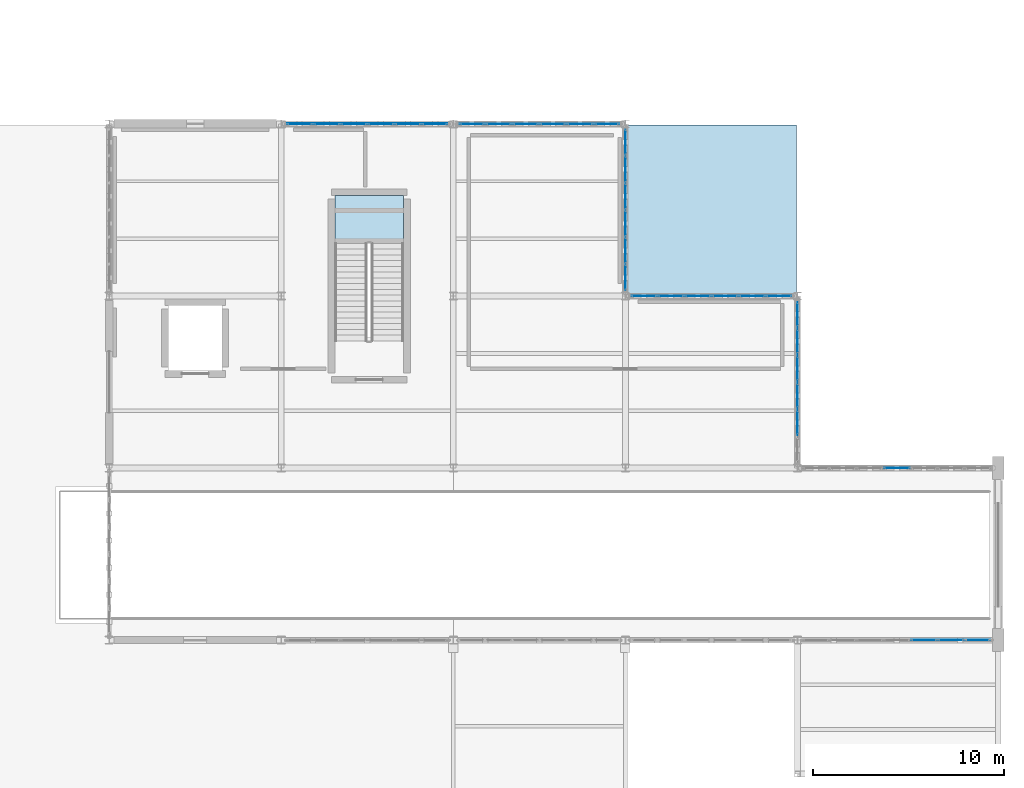
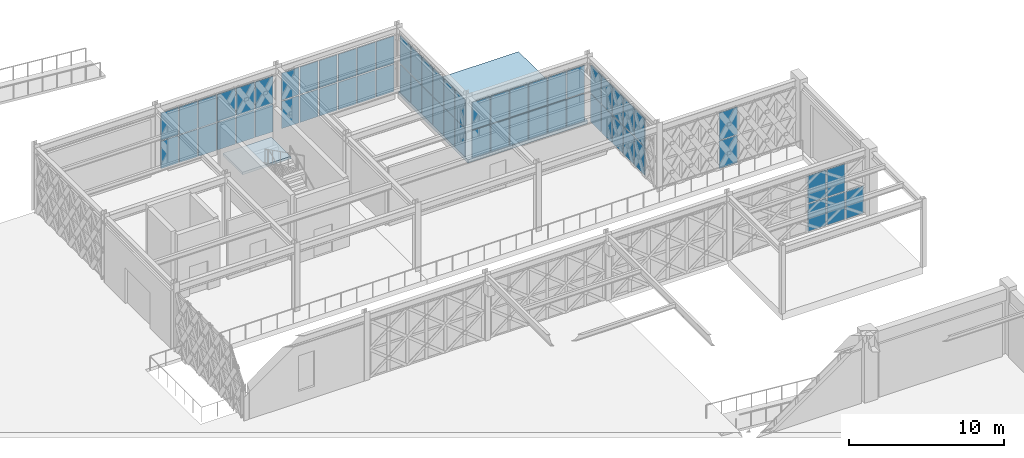
# One storey, part 112 of 140: 65 plates, 2 slabs, 8 elements without a shape of their own.
"""IFC4 building model written with IfcOpenShell, lengths in metres."""

from ifc_helpers import new_model, si_unit, direction, frame, origin, origin_2d, place, context, subcontext, project, spatial, polyline, rectangle, outline, extrude, material, layer, layer_set, type_object, element, aggregate, save


model = new_model("IFC4")

# Units and contexts
model_context = context("Model", 3, precision=1e-05, world=origin(), true_north=direction((0.0, 1.0)))
body_context = subcontext(model_context, "Body", "Model", "MODEL_VIEW")
ifc_project = project(units=[si_unit("LENGTHUNIT", "METRE"), si_unit("AREAUNIT", "SQUARE_METRE"), si_unit("VOLUMEUNIT", "CUBIC_METRE"), si_unit("PLANEANGLEUNIT", "RADIAN"), si_unit("MASSUNIT", "GRAM", prefix="KILO")], contexts=[model_context])

# Site, building, storey
site_placement = place(None, origin())
site = spatial("IfcSite", under=ifc_project, at=site_placement, CompositionType="ELEMENT")
building_placement = place(site_placement, origin())
building = spatial("IfcBuilding", under=site, at=building_placement, Name="Haizhuo Lancet Aquarium", CompositionType="ELEMENT")
storey_placement = place(building_placement, origin())
storey = spatial("IfcBuildingStorey", under=building, at=storey_placement, Name="L00", CompositionType="ELEMENT", Elevation=0.0)

# Curtain wall, plates
ifc_material_1 = material(Name="Aluminium 6063-T6", Category="aluminium")
curtain_wall_type_1 = type_object("IfcCurtainWallType", Name="CWD-8510x4530", PredefinedType="NOTDEFINED", material=ifc_material_1)
curtain_wall_1_placement = place(storey_placement, origin())
curtain_wall_1 = element("IfcCurtainWall", 1, at=curtain_wall_1_placement, inside=storey, type_object=curtain_wall_type_1, Name="L00 curtain wall CW-V7-L00-273", PredefinedType="NOTDEFINED")
ifc_material_2 = material(Name="Laminated Low-E Glass", Category="glass")
ifc_layer_1 = layer(ifc_material_2, 0.028076171875)
ifc_layer_set_1 = layer_set([ifc_layer_1], Name="Laminated Low-E Glass")
plate_type_1 = type_object("IfcPlateType", Name="CW-PNL-1", PredefinedType="CURTAIN_PANEL", material=ifc_layer_set_1)
plate_1_placement = place(storey_placement, frame((54.97412109375, 36.0, 0.080078125), z_axis=(0.0, 0.0, 1.0), x_axis=(1.0, 0.0, 0.0)))
plate_1 = element("IfcPlate", 2, at=plate_1_placement, type_object=plate_type_1, Name="CWD-85x45 panel 1.1", PredefinedType="CURTAIN_PANEL", context=body_context, shape_type="SweptSolid", body=[
    extrude(rectangle(XDim=1.298095703125, YDim=0.028076171875, at=origin_2d()), origin(), (0.0, 0.0, 1.0), 2.14599609375),
])
plate_2_placement = place(storey_placement, frame((54.97412109375, 36.0, 2.305908203125), z_axis=(0.0, 0.0, 1.0), x_axis=(1.0, 0.0, 0.0)))
plate_2 = element("IfcPlate", 3, at=plate_2_placement, type_object=plate_type_1, Name="CWD-85x45 panel 1.2", PredefinedType="CURTAIN_PANEL", context=body_context, shape_type="SweptSolid", body=[
    extrude(rectangle(XDim=1.298095703125, YDim=0.028076171875, at=origin_2d()), origin(), (0.0, 0.0, 1.0), 2.14599609375),
])
plate_3_placement = place(storey_placement, frame((56.373046875, 36.0, 0.080078125), z_axis=(0.0, 0.0, 1.0), x_axis=(1.0, 0.0, 0.0)))
plate_3 = element("IfcPlate", 4, at=plate_3_placement, type_object=plate_type_1, Name="CWD-85x45 panel 2.1", PredefinedType="CURTAIN_PANEL", context=body_context, shape_type="SweptSolid", body=[
    extrude(rectangle(XDim=1.337890625, YDim=0.028076171875, at=origin_2d()), origin(), (0.0, 0.0, 1.0), 2.14599609375),
])
plate_4_placement = place(storey_placement, frame((56.373046875, 36.0, 2.305908203125), z_axis=(0.0, 0.0, 1.0), x_axis=(1.0, 0.0, 0.0)))
plate_4 = element("IfcPlate", 5, at=plate_4_placement, type_object=plate_type_1, Name="CWD-85x45 panel 2.2", PredefinedType="CURTAIN_PANEL", context=body_context, shape_type="SweptSolid", body=[
    extrude(rectangle(XDim=1.337890625, YDim=0.028076171875, at=origin_2d()), origin(), (0.0, 0.0, 1.0), 2.14599609375),
])
plate_5_placement = place(storey_placement, frame((57.791015625, 36.0, 0.080078125), z_axis=(0.0, 0.0, 1.0), x_axis=(1.0, 0.0, 0.0)))
plate_5 = element("IfcPlate", 6, at=plate_5_placement, type_object=plate_type_1, Name="CWD-85x45 panel 3.1", PredefinedType="CURTAIN_PANEL", context=body_context, shape_type="SweptSolid", body=[
    extrude(rectangle(XDim=1.337890625, YDim=0.028076171875, at=origin_2d()), origin(), (0.0, 0.0, 1.0), 2.14599609375),
])
plate_6_placement = place(storey_placement, frame((57.791015625, 36.0, 2.305908203125), z_axis=(0.0, 0.0, 1.0), x_axis=(1.0, 0.0, 0.0)))
plate_6 = element("IfcPlate", 7, at=plate_6_placement, type_object=plate_type_1, Name="CWD-85x45 panel 3.2", PredefinedType="CURTAIN_PANEL", context=body_context, shape_type="SweptSolid", body=[
    extrude(rectangle(XDim=1.337890625, YDim=0.028076171875, at=origin_2d()), origin(), (0.0, 0.0, 1.0), 2.14599609375),
])
plate_7_placement = place(storey_placement, frame((59.208984375, 36.0, 0.080078125), z_axis=(0.0, 0.0, 1.0), x_axis=(1.0, 0.0, 0.0)))
plate_7 = element("IfcPlate", 8, at=plate_7_placement, type_object=plate_type_1, Name="CWD-85x45 panel 4.1", PredefinedType="CURTAIN_PANEL", context=body_context, shape_type="SweptSolid", body=[
    extrude(rectangle(XDim=1.337890625, YDim=0.028076171875, at=origin_2d()), origin(), (0.0, 0.0, 1.0), 2.14599609375),
])
plate_8_placement = place(storey_placement, frame((59.208984375, 36.0, 2.305908203125), z_axis=(0.0, 0.0, 1.0), x_axis=(1.0, 0.0, 0.0)))
plate_8 = element("IfcPlate", 9, at=plate_8_placement, type_object=plate_type_1, Name="CWD-85x45 panel 4.2", PredefinedType="CURTAIN_PANEL", context=body_context, shape_type="SweptSolid", body=[
    extrude(rectangle(XDim=1.337890625, YDim=0.028076171875, at=origin_2d()), origin(), (0.0, 0.0, 1.0), 2.14599609375),
])
plate_9_placement = place(storey_placement, frame((60.626953125, 36.0, 0.080078125), z_axis=(0.0, 0.0, 1.0), x_axis=(1.0, 0.0, 0.0)))
plate_9 = element("IfcPlate", 10, at=plate_9_placement, type_object=plate_type_1, Name="CWD-85x45 panel 5.1", PredefinedType="CURTAIN_PANEL", context=body_context, shape_type="SweptSolid", body=[
    extrude(rectangle(XDim=1.337890625, YDim=0.028076171875, at=origin_2d()), origin(), (0.0, 0.0, 1.0), 2.14599609375),
])
plate_10_placement = place(storey_placement, frame((60.626953125, 36.0, 2.305908203125), z_axis=(0.0, 0.0, 1.0), x_axis=(1.0, 0.0, 0.0)))
plate_10 = element("IfcPlate", 11, at=plate_10_placement, type_object=plate_type_1, Name="CWD-85x45 panel 5.2", PredefinedType="CURTAIN_PANEL", context=body_context, shape_type="SweptSolid", body=[
    extrude(rectangle(XDim=1.337890625, YDim=0.028076171875, at=origin_2d()), origin(), (0.0, 0.0, 1.0), 2.14599609375),
])
plate_11_placement = place(storey_placement, frame((62.02587890625, 36.0, 0.080078125), z_axis=(0.0, 0.0, 1.0), x_axis=(1.0, 0.0, 0.0)))
plate_11 = element("IfcPlate", 12, at=plate_11_placement, type_object=plate_type_1, Name="CWD-85x45 panel 6.1", PredefinedType="CURTAIN_PANEL", context=body_context, shape_type="SweptSolid", body=[
    extrude(rectangle(XDim=1.298095703125, YDim=0.028076171875, at=origin_2d()), origin(), (0.0, 0.0, 1.0), 2.14599609375),
])
plate_12_placement = place(storey_placement, frame((62.02587890625, 36.0, 2.305908203125), z_axis=(0.0, 0.0, 1.0), x_axis=(1.0, 0.0, 0.0)))
plate_12 = element("IfcPlate", 13, at=plate_12_placement, type_object=plate_type_1, Name="CWD-85x45 panel 6.2", PredefinedType="CURTAIN_PANEL", context=body_context, shape_type="SweptSolid", body=[
    extrude(rectangle(XDim=1.298095703125, YDim=0.028076171875, at=origin_2d()), origin(), (0.0, 0.0, 1.0), 2.14599609375),
])
aggregate(curtain_wall_1, [plate_1, plate_2, plate_3, plate_4, plate_5, plate_6, plate_7, plate_8, plate_9, plate_10, plate_11, plate_12])

curtain_wall_type_2 = type_object("IfcCurtainWallType", Name="CWD-9910x4530", PredefinedType="NOTDEFINED", material=ifc_material_1)
curtain_wall_2_placement = place(storey_placement, origin())
curtain_wall_2 = element("IfcCurtainWall", 14, at=curtain_wall_2_placement, inside=storey, type_object=curtain_wall_type_2, Name="L00 curtain wall CW-V7-L00-277", PredefinedType="NOTDEFINED")
plate_13_placement = place(storey_placement, frame((77.199951171875, 18.0, 0.06494140625), z_axis=(0.0, 0.0, 1.0), x_axis=(1.0, 0.0, 0.0)))
plate_13 = element("IfcPlate", 15, at=plate_13_placement, type_object=plate_type_1, Name="CWD-99x45 panel 4.1", PredefinedType="CURTAIN_PANEL", context=body_context, shape_type="SweptSolid", body=[
    extrude(rectangle(XDim=1.35107421875, YDim=0.028076171875, at=origin_2d()), origin(), (0.0, 0.0, 1.0), 2.16796875),
])
plate_14_placement = place(storey_placement, frame((77.199951171875, 18.0, 2.298583984375), z_axis=(0.0, 0.0, 1.0), x_axis=(1.0, 0.0, 0.0)))
plate_14 = element("IfcPlate", 16, at=plate_14_placement, type_object=plate_type_1, Name="CWD-99x45 panel 4.2", PredefinedType="CURTAIN_PANEL", context=body_context, shape_type="SweptSolid", body=[
    extrude(rectangle(XDim=1.35107421875, YDim=0.028076171875, at=origin_2d()), origin(), (0.0, 0.0, 1.0), 2.1689453125),
])
aggregate(curtain_wall_2, [plate_13, plate_14])

curtain_wall_type_3 = type_object("IfcCurtainWallType", Name="CWD-8510x4630", PredefinedType="NOTDEFINED", material=ifc_material_1)
curtain_wall_3_placement = place(storey_placement, origin())
curtain_wall_3 = element("IfcCurtainWall", 17, at=curtain_wall_3_placement, inside=storey, type_object=curtain_wall_type_3, Name="L00 curtain wall CW-V7-L00-274", PredefinedType="NOTDEFINED")
ifc_layer_2 = layer(ifc_material_2, 0.033935546875)
ifc_layer_set_2 = layer_set([ifc_layer_2], Name="Laminated Low-E Glass")
plate_type_2 = type_object("IfcPlateType", Name="CW-PNL-2", PredefinedType="CURTAIN_PANEL", material=ifc_layer_set_2)
plate_15_placement = place(storey_placement, frame((63.0, 35.030029296875, 0.06494140625), z_axis=(0.0, 0.0, 1.0), x_axis=(0.0, -1.0, 0.0)))
plate_15 = element("IfcPlate", 18, at=plate_15_placement, type_object=plate_type_2, Name="CWD-85x46 panel 1.1", PredefinedType="CURTAIN_PANEL", context=body_context, shape_type="SweptSolid", body=[
    extrude(rectangle(XDim=1.321044921875, YDim=0.033935546875, at=origin_2d()), origin(), (0.0, 0.0, 1.0), 2.218017578125),
])
plate_16_placement = place(storey_placement, frame((63.0, 35.030029296875, 2.3486328125), z_axis=(0.0, 0.0, 1.0), x_axis=(0.0, -1.0, 0.0)))
plate_16 = element("IfcPlate", 19, at=plate_16_placement, type_object=plate_type_2, Name="CWD-85x46 panel 1.2", PredefinedType="CURTAIN_PANEL", context=body_context, shape_type="SweptSolid", body=[
    extrude(rectangle(XDim=1.321044921875, YDim=0.033935546875, at=origin_2d()), origin(), (0.0, 0.0, 1.0), 2.218994140625),
])
plate_17_placement = place(storey_placement, frame((63.0, 33.6279296875, 0.06494140625), z_axis=(0.0, 0.0, 1.0), x_axis=(0.0, -1.0, 0.0)))
plate_17 = element("IfcPlate", 20, at=plate_17_placement, type_object=plate_type_2, Name="CWD-85x46 panel 2.1", PredefinedType="CURTAIN_PANEL", context=body_context, shape_type="SweptSolid", body=[
    extrude(rectangle(XDim=1.35302734375, YDim=0.033935546875, at=origin_2d()), origin(), (0.0, 0.0, 1.0), 2.218017578125),
])
plate_18_placement = place(storey_placement, frame((63.0, 33.6279296875, 2.3486328125), z_axis=(0.0, 0.0, 1.0), x_axis=(0.0, -1.0, 0.0)))
plate_18 = element("IfcPlate", 21, at=plate_18_placement, type_object=plate_type_2, Name="CWD-85x46 panel 2.2", PredefinedType="CURTAIN_PANEL", context=body_context, shape_type="SweptSolid", body=[
    extrude(rectangle(XDim=1.35302734375, YDim=0.033935546875, at=origin_2d()), origin(), (0.0, 0.0, 1.0), 2.218994140625),
])
plate_19_placement = place(storey_placement, frame((63.0, 32.208984375, 0.06494140625), z_axis=(0.0, 0.0, 1.0), x_axis=(0.0, -1.0, 0.0)))
plate_19 = element("IfcPlate", 22, at=plate_19_placement, type_object=plate_type_2, Name="CWD-85x46 panel 3.1", PredefinedType="CURTAIN_PANEL", context=body_context, shape_type="SweptSolid", body=[
    extrude(rectangle(XDim=1.35302734375, YDim=0.033935546875, at=origin_2d()), origin(), (0.0, 0.0, 1.0), 2.218017578125),
])
plate_20_placement = place(storey_placement, frame((63.0, 32.208984375, 2.3486328125), z_axis=(0.0, 0.0, 1.0), x_axis=(0.0, -1.0, 0.0)))
plate_20 = element("IfcPlate", 23, at=plate_20_placement, type_object=plate_type_2, Name="CWD-85x46 panel 3.2", PredefinedType="CURTAIN_PANEL", context=body_context, shape_type="SweptSolid", body=[
    extrude(rectangle(XDim=1.35302734375, YDim=0.033935546875, at=origin_2d()), origin(), (0.0, 0.0, 1.0), 2.218994140625),
])
plate_21_placement = place(storey_placement, frame((63.0, 30.791015625, 0.06494140625), z_axis=(0.0, 0.0, 1.0), x_axis=(0.0, -1.0, 0.0)))
plate_21 = element("IfcPlate", 24, at=plate_21_placement, type_object=plate_type_2, Name="CWD-85x46 panel 4.1", PredefinedType="CURTAIN_PANEL", context=body_context, shape_type="SweptSolid", body=[
    extrude(rectangle(XDim=1.35302734375, YDim=0.033935546875, at=origin_2d()), origin(), (0.0, 0.0, 1.0), 2.218017578125),
])
plate_22_placement = place(storey_placement, frame((63.0, 30.791015625, 2.3486328125), z_axis=(0.0, 0.0, 1.0), x_axis=(0.0, -1.0, 0.0)))
plate_22 = element("IfcPlate", 25, at=plate_22_placement, type_object=plate_type_2, Name="CWD-85x46 panel 4.2", PredefinedType="CURTAIN_PANEL", context=body_context, shape_type="SweptSolid", body=[
    extrude(rectangle(XDim=1.35302734375, YDim=0.033935546875, at=origin_2d()), origin(), (0.0, 0.0, 1.0), 2.218994140625),
])
plate_23_placement = place(storey_placement, frame((63.0, 29.373046875, 0.06494140625), z_axis=(0.0, 0.0, 1.0), x_axis=(0.0, -1.0, 0.0)))
plate_23 = element("IfcPlate", 26, at=plate_23_placement, type_object=plate_type_2, Name="CWD-85x46 panel 5.1", PredefinedType="CURTAIN_PANEL", context=body_context, shape_type="SweptSolid", body=[
    extrude(rectangle(XDim=1.35302734375, YDim=0.033935546875, at=origin_2d()), origin(), (0.0, 0.0, 1.0), 2.218017578125),
])
plate_24_placement = place(storey_placement, frame((63.0, 29.373046875, 2.3486328125), z_axis=(0.0, 0.0, 1.0), x_axis=(0.0, -1.0, 0.0)))
plate_24 = element("IfcPlate", 27, at=plate_24_placement, type_object=plate_type_2, Name="CWD-85x46 panel 5.2", PredefinedType="CURTAIN_PANEL", context=body_context, shape_type="SweptSolid", body=[
    extrude(rectangle(XDim=1.35302734375, YDim=0.033935546875, at=origin_2d()), origin(), (0.0, 0.0, 1.0), 2.218994140625),
])
plate_25_placement = place(storey_placement, frame((63.0, 27.969970703125, 0.06494140625), z_axis=(0.0, 0.0, 1.0), x_axis=(0.0, -1.0, 0.0)))
plate_25 = element("IfcPlate", 28, at=plate_25_placement, type_object=plate_type_2, Name="CWD-85x46 panel 6.1", PredefinedType="CURTAIN_PANEL", context=body_context, shape_type="SweptSolid", body=[
    extrude(rectangle(XDim=1.321044921875, YDim=0.033935546875, at=origin_2d()), origin(), (0.0, 0.0, 1.0), 2.218017578125),
])
plate_26_placement = place(storey_placement, frame((63.0, 27.969970703125, 2.3486328125), z_axis=(0.0, 0.0, 1.0), x_axis=(0.0, -1.0, 0.0)))
plate_26 = element("IfcPlate", 29, at=plate_26_placement, type_object=plate_type_2, Name="CWD-85x46 panel 6.2", PredefinedType="CURTAIN_PANEL", context=body_context, shape_type="SweptSolid", body=[
    extrude(rectangle(XDim=1.321044921875, YDim=0.033935546875, at=origin_2d()), origin(), (0.0, 0.0, 1.0), 2.218994140625),
])
aggregate(curtain_wall_3, [plate_15, plate_16, plate_17, plate_18, plate_19, plate_20, plate_21, plate_22, plate_23, plate_24, plate_25, plate_26])

curtain_wall_type_4 = type_object("IfcCurtainWallType", Name="CWO-9910x4530", PredefinedType="NOTDEFINED", material=ifc_material_1)
curtain_wall_4_placement = place(storey_placement, origin())
curtain_wall_4 = element("IfcCurtainWall", 30, at=curtain_wall_4_placement, inside=storey, type_object=curtain_wall_type_4, Name="L00 curtain wall CW-V7-L00-278", PredefinedType="NOTDEFINED")
plate_27_placement = place(storey_placement, frame((81.427978515625, 9.0, 0.07568359375), z_axis=(0.0, 0.0, 1.0), x_axis=(-1.0, 0.0, 0.0)))
plate_27 = element("IfcPlate", 31, at=plate_27_placement, type_object=plate_type_2, Name="CWO-99x45 panel 1.1", PredefinedType="CURTAIN_PANEL", context=body_context, shape_type="SweptSolid", body=[
    extrude(rectangle(XDim=1.302978515625, YDim=0.033935546875, at=origin_2d()), origin(), (0.0, 0.0, 1.0), 2.153076171875),
])
plate_28_placement = place(storey_placement, frame((80.031005859375, 9.0, 0.07568359375), z_axis=(0.0, 0.0, 1.0), x_axis=(-1.0, 0.0, 0.0)))
plate_28 = element("IfcPlate", 32, at=plate_28_placement, type_object=plate_type_2, Name="CWO-99x45 panel 2.1", PredefinedType="CURTAIN_PANEL", context=body_context, shape_type="SweptSolid", body=[
    extrude(rectangle(XDim=1.341064453125, YDim=0.033935546875, at=origin_2d()), origin(), (0.0, 0.0, 1.0), 2.153076171875),
])
plate_29_placement = place(storey_placement, frame((80.031005859375, 9.0, 2.302734375), z_axis=(0.0, 0.0, 1.0), x_axis=(-1.0, 0.0, 0.0)))
plate_29 = element("IfcPlate", 33, at=plate_29_placement, type_object=plate_type_2, Name="CWO-99x45 panel 2.2", PredefinedType="CURTAIN_PANEL", context=body_context, shape_type="SweptSolid", body=[
    extrude(rectangle(XDim=1.341064453125, YDim=0.033935546875, at=origin_2d()), origin(), (0.0, 0.0, 1.0), 2.154052734375),
])
plate_30_placement = place(storey_placement, frame((78.615966796875, 9.0, 0.07568359375), z_axis=(0.0, 0.0, 1.0), x_axis=(-1.0, 0.0, 0.0)))
plate_30 = element("IfcPlate", 34, at=plate_30_placement, type_object=plate_type_2, Name="CWO-99x45 panel 3.1", PredefinedType="CURTAIN_PANEL", context=body_context, shape_type="SweptSolid", body=[
    extrude(rectangle(XDim=1.341064453125, YDim=0.033935546875, at=origin_2d()), origin(), (0.0, 0.0, 1.0), 2.153076171875),
])
plate_31_placement = place(storey_placement, frame((78.615966796875, 9.0, 2.302734375), z_axis=(0.0, 0.0, 1.0), x_axis=(-1.0, 0.0, 0.0)))
plate_31 = element("IfcPlate", 35, at=plate_31_placement, type_object=plate_type_2, Name="CWO-99x45 panel 3.2", PredefinedType="CURTAIN_PANEL", context=body_context, shape_type="SweptSolid", body=[
    extrude(rectangle(XDim=1.341064453125, YDim=0.033935546875, at=origin_2d()), origin(), (0.0, 0.0, 1.0), 2.154052734375),
])
aggregate(curtain_wall_4, [plate_27, plate_28, plate_29, plate_30, plate_31])

curtain_wall_5_placement = place(storey_placement, origin())
curtain_wall_5 = element("IfcCurtainWall", 36, at=curtain_wall_5_placement, inside=storey, type_object=curtain_wall_type_1, Name="L00 curtain wall CW-V7-L00-275", PredefinedType="NOTDEFINED")
ifc_layer_3 = layer(ifc_material_2, 0.0419921875)
ifc_layer_set_3 = layer_set([ifc_layer_3], Name="Laminated Low-E Glass")
plate_type_3 = type_object("IfcPlateType", Name="CW-PNL-3", PredefinedType="CURTAIN_PANEL", material=ifc_layer_set_3)
plate_32_placement = place(storey_placement, frame((63.972900390625, 27.0, 0.07568359375), z_axis=(0.0, 0.0, 1.0), x_axis=(1.0, 0.0, 0.0)))
plate_32 = element("IfcPlate", 37, at=plate_32_placement, type_object=plate_type_3, Name="CWD-85x45 panel 1.1", PredefinedType="CURTAIN_PANEL", context=body_context, shape_type="SweptSolid", body=[
    extrude(rectangle(XDim=1.305908203125, YDim=0.0419921875, at=origin_2d()), origin(), (0.0, 0.0, 1.0), 2.153076171875),
])
plate_33_placement = place(storey_placement, frame((63.972900390625, 27.0, 2.302734375), z_axis=(0.0, 0.0, 1.0), x_axis=(1.0, 0.0, 0.0)))
plate_33 = element("IfcPlate", 38, at=plate_33_placement, type_object=plate_type_3, Name="CWD-85x45 panel 1.2", PredefinedType="CURTAIN_PANEL", context=body_context, shape_type="SweptSolid", body=[
    extrude(rectangle(XDim=1.305908203125, YDim=0.0419921875, at=origin_2d()), origin(), (0.0, 0.0, 1.0), 2.154052734375),
])
plate_34_placement = place(storey_placement, frame((65.373046875, 27.0, 0.07568359375), z_axis=(0.0, 0.0, 1.0), x_axis=(1.0, 0.0, 0.0)))
plate_34 = element("IfcPlate", 39, at=plate_34_placement, type_object=plate_type_3, Name="CWD-85x45 panel 2.1", PredefinedType="CURTAIN_PANEL", context=body_context, shape_type="SweptSolid", body=[
    extrude(rectangle(XDim=1.343017578125, YDim=0.0419921875, at=origin_2d()), origin(), (0.0, 0.0, 1.0), 2.153076171875),
])
plate_35_placement = place(storey_placement, frame((65.373046875, 27.0, 2.302734375), z_axis=(0.0, 0.0, 1.0), x_axis=(1.0, 0.0, 0.0)))
plate_35 = element("IfcPlate", 40, at=plate_35_placement, type_object=plate_type_3, Name="CWD-85x45 panel 2.2", PredefinedType="CURTAIN_PANEL", context=body_context, shape_type="SweptSolid", body=[
    extrude(rectangle(XDim=1.343017578125, YDim=0.0419921875, at=origin_2d()), origin(), (0.0, 0.0, 1.0), 2.154052734375),
])
plate_36_placement = place(storey_placement, frame((66.791015625, 27.0, 0.07568359375), z_axis=(0.0, 0.0, 1.0), x_axis=(1.0, 0.0, 0.0)))
plate_36 = element("IfcPlate", 41, at=plate_36_placement, type_object=plate_type_3, Name="CWD-85x45 panel 3.1", PredefinedType="CURTAIN_PANEL", context=body_context, shape_type="SweptSolid", body=[
    extrude(rectangle(XDim=1.343017578125, YDim=0.0419921875, at=origin_2d()), origin(), (0.0, 0.0, 1.0), 2.153076171875),
])
plate_37_placement = place(storey_placement, frame((66.791015625, 27.0, 2.302734375), z_axis=(0.0, 0.0, 1.0), x_axis=(1.0, 0.0, 0.0)))
plate_37 = element("IfcPlate", 42, at=plate_37_placement, type_object=plate_type_3, Name="CWD-85x45 panel 3.2", PredefinedType="CURTAIN_PANEL", context=body_context, shape_type="SweptSolid", body=[
    extrude(rectangle(XDim=1.343017578125, YDim=0.0419921875, at=origin_2d()), origin(), (0.0, 0.0, 1.0), 2.154052734375),
])
plate_38_placement = place(storey_placement, frame((68.208984375, 27.0, 0.07568359375), z_axis=(0.0, 0.0, 1.0), x_axis=(1.0, 0.0, 0.0)))
plate_38 = element("IfcPlate", 43, at=plate_38_placement, type_object=plate_type_3, Name="CWD-85x45 panel 4.1", PredefinedType="CURTAIN_PANEL", context=body_context, shape_type="SweptSolid", body=[
    extrude(rectangle(XDim=1.343017578125, YDim=0.0419921875, at=origin_2d()), origin(), (0.0, 0.0, 1.0), 2.153076171875),
])
plate_39_placement = place(storey_placement, frame((68.208984375, 27.0, 2.302734375), z_axis=(0.0, 0.0, 1.0), x_axis=(1.0, 0.0, 0.0)))
plate_39 = element("IfcPlate", 44, at=plate_39_placement, type_object=plate_type_3, Name="CWD-85x45 panel 4.2", PredefinedType="CURTAIN_PANEL", context=body_context, shape_type="SweptSolid", body=[
    extrude(rectangle(XDim=1.343017578125, YDim=0.0419921875, at=origin_2d()), origin(), (0.0, 0.0, 1.0), 2.154052734375),
])
plate_40_placement = place(storey_placement, frame((69.626953125, 27.0, 0.07568359375), z_axis=(0.0, 0.0, 1.0), x_axis=(1.0, 0.0, 0.0)))
plate_40 = element("IfcPlate", 45, at=plate_40_placement, type_object=plate_type_3, Name="CWD-85x45 panel 5.1", PredefinedType="CURTAIN_PANEL", context=body_context, shape_type="SweptSolid", body=[
    extrude(rectangle(XDim=1.343017578125, YDim=0.0419921875, at=origin_2d()), origin(), (0.0, 0.0, 1.0), 2.153076171875),
])
plate_41_placement = place(storey_placement, frame((69.626953125, 27.0, 2.302734375), z_axis=(0.0, 0.0, 1.0), x_axis=(1.0, 0.0, 0.0)))
plate_41 = element("IfcPlate", 46, at=plate_41_placement, type_object=plate_type_3, Name="CWD-85x45 panel 5.2", PredefinedType="CURTAIN_PANEL", context=body_context, shape_type="SweptSolid", body=[
    extrude(rectangle(XDim=1.343017578125, YDim=0.0419921875, at=origin_2d()), origin(), (0.0, 0.0, 1.0), 2.154052734375),
])
plate_42_placement = place(storey_placement, frame((71.027099609375, 27.0, 0.07568359375), z_axis=(0.0, 0.0, 1.0), x_axis=(1.0, 0.0, 0.0)))
plate_42 = element("IfcPlate", 47, at=plate_42_placement, type_object=plate_type_3, Name="CWD-85x45 panel 6.1", PredefinedType="CURTAIN_PANEL", context=body_context, shape_type="SweptSolid", body=[
    extrude(rectangle(XDim=1.305908203125, YDim=0.0419921875, at=origin_2d()), origin(), (0.0, 0.0, 1.0), 2.153076171875),
])
plate_43_placement = place(storey_placement, frame((71.027099609375, 27.0, 2.302734375), z_axis=(0.0, 0.0, 1.0), x_axis=(1.0, 0.0, 0.0)))
plate_43 = element("IfcPlate", 48, at=plate_43_placement, type_object=plate_type_3, Name="CWD-85x45 panel 6.2", PredefinedType="CURTAIN_PANEL", context=body_context, shape_type="SweptSolid", body=[
    extrude(rectangle(XDim=1.305908203125, YDim=0.0419921875, at=origin_2d()), origin(), (0.0, 0.0, 1.0), 2.154052734375),
])
aggregate(curtain_wall_5, [plate_32, plate_33, plate_34, plate_35, plate_36, plate_37, plate_38, plate_39, plate_40, plate_41, plate_42, plate_43])

curtain_wall_6_placement = place(storey_placement, origin())
curtain_wall_6 = element("IfcCurtainWall", 49, at=curtain_wall_6_placement, inside=storey, type_object=curtain_wall_type_1, Name="L00 curtain wall CW-V7-L00-272", PredefinedType="NOTDEFINED")
ifc_layer_4 = layer(ifc_material_2, 0.052001953125)
ifc_layer_set_4 = layer_set([ifc_layer_4], Name="Laminated Low-E Glass")
plate_type_4 = type_object("IfcPlateType", Name="CW-PNL-4", PredefinedType="CURTAIN_PANEL", material=ifc_layer_set_4)
plate_44_placement = place(storey_placement, frame((45.972900390625, 36.0, 0.07568359375), z_axis=(0.0, 0.0, 1.0), x_axis=(1.0, 0.0, 0.0)))
plate_44 = element("IfcPlate", 50, at=plate_44_placement, type_object=plate_type_4, Name="CWD-85x45 panel 1.1", PredefinedType="CURTAIN_PANEL", context=body_context, shape_type="SweptSolid", body=[
    extrude(rectangle(XDim=1.305908203125, YDim=0.052001953125, at=origin_2d()), origin(), (0.0, 0.0, 1.0), 2.153076171875),
])
plate_45_placement = place(storey_placement, frame((45.972900390625, 36.0, 2.302734375), z_axis=(0.0, 0.0, 1.0), x_axis=(1.0, 0.0, 0.0)))
plate_45 = element("IfcPlate", 51, at=plate_45_placement, type_object=plate_type_4, Name="CWD-85x45 panel 1.2", PredefinedType="CURTAIN_PANEL", context=body_context, shape_type="SweptSolid", body=[
    extrude(rectangle(XDim=1.305908203125, YDim=0.052001953125, at=origin_2d()), origin(), (0.0, 0.0, 1.0), 2.154052734375),
])
plate_46_placement = place(storey_placement, frame((47.373046875, 36.0, 0.07568359375), z_axis=(0.0, 0.0, 1.0), x_axis=(1.0, 0.0, 0.0)))
plate_46 = element("IfcPlate", 52, at=plate_46_placement, type_object=plate_type_4, Name="CWD-85x45 panel 2.1", PredefinedType="CURTAIN_PANEL", context=body_context, shape_type="SweptSolid", body=[
    extrude(rectangle(XDim=1.343017578125, YDim=0.052001953125, at=origin_2d()), origin(), (0.0, 0.0, 1.0), 2.153076171875),
])
plate_47_placement = place(storey_placement, frame((47.373046875, 36.0, 2.302734375), z_axis=(0.0, 0.0, 1.0), x_axis=(1.0, 0.0, 0.0)))
plate_47 = element("IfcPlate", 53, at=plate_47_placement, type_object=plate_type_4, Name="CWD-85x45 panel 2.2", PredefinedType="CURTAIN_PANEL", context=body_context, shape_type="SweptSolid", body=[
    extrude(rectangle(XDim=1.343017578125, YDim=0.052001953125, at=origin_2d()), origin(), (0.0, 0.0, 1.0), 2.154052734375),
])
plate_48_placement = place(storey_placement, frame((48.791015625, 36.0, 0.07568359375), z_axis=(0.0, 0.0, 1.0), x_axis=(1.0, 0.0, 0.0)))
plate_48 = element("IfcPlate", 54, at=plate_48_placement, type_object=plate_type_4, Name="CWD-85x45 panel 3.1", PredefinedType="CURTAIN_PANEL", context=body_context, shape_type="SweptSolid", body=[
    extrude(rectangle(XDim=1.343017578125, YDim=0.052001953125, at=origin_2d()), origin(), (0.0, 0.0, 1.0), 2.153076171875),
])
plate_49_placement = place(storey_placement, frame((48.791015625, 36.0, 2.302734375), z_axis=(0.0, 0.0, 1.0), x_axis=(1.0, 0.0, 0.0)))
plate_49 = element("IfcPlate", 55, at=plate_49_placement, type_object=plate_type_4, Name="CWD-85x45 panel 3.2", PredefinedType="CURTAIN_PANEL", context=body_context, shape_type="SweptSolid", body=[
    extrude(rectangle(XDim=1.343017578125, YDim=0.052001953125, at=origin_2d()), origin(), (0.0, 0.0, 1.0), 2.154052734375),
])
plate_50_placement = place(storey_placement, frame((50.208984375, 36.0, 0.07568359375), z_axis=(0.0, 0.0, 1.0), x_axis=(1.0, 0.0, 0.0)))
plate_50 = element("IfcPlate", 56, at=plate_50_placement, type_object=plate_type_4, Name="CWD-85x45 panel 4.1", PredefinedType="CURTAIN_PANEL", context=body_context, shape_type="SweptSolid", body=[
    extrude(rectangle(XDim=1.343017578125, YDim=0.052001953125, at=origin_2d()), origin(), (0.0, 0.0, 1.0), 2.153076171875),
])
plate_51_placement = place(storey_placement, frame((50.208984375, 36.0, 2.302734375), z_axis=(0.0, 0.0, 1.0), x_axis=(1.0, 0.0, 0.0)))
plate_51 = element("IfcPlate", 57, at=plate_51_placement, type_object=plate_type_4, Name="CWD-85x45 panel 4.2", PredefinedType="CURTAIN_PANEL", context=body_context, shape_type="SweptSolid", body=[
    extrude(rectangle(XDim=1.343017578125, YDim=0.052001953125, at=origin_2d()), origin(), (0.0, 0.0, 1.0), 2.154052734375),
])
plate_52_placement = place(storey_placement, frame((51.626953125, 36.0, 0.07568359375), z_axis=(0.0, 0.0, 1.0), x_axis=(1.0, 0.0, 0.0)))
plate_52 = element("IfcPlate", 58, at=plate_52_placement, type_object=plate_type_4, Name="CWD-85x45 panel 5.1", PredefinedType="CURTAIN_PANEL", context=body_context, shape_type="SweptSolid", body=[
    extrude(rectangle(XDim=1.343017578125, YDim=0.052001953125, at=origin_2d()), origin(), (0.0, 0.0, 1.0), 2.153076171875),
])
plate_53_placement = place(storey_placement, frame((51.626953125, 36.0, 2.302734375), z_axis=(0.0, 0.0, 1.0), x_axis=(1.0, 0.0, 0.0)))
plate_53 = element("IfcPlate", 59, at=plate_53_placement, type_object=plate_type_4, Name="CWD-85x45 panel 5.2", PredefinedType="CURTAIN_PANEL", context=body_context, shape_type="SweptSolid", body=[
    extrude(rectangle(XDim=1.343017578125, YDim=0.052001953125, at=origin_2d()), origin(), (0.0, 0.0, 1.0), 2.154052734375),
])
plate_54_placement = place(storey_placement, frame((53.027099609375, 36.0, 0.07568359375), z_axis=(0.0, 0.0, 1.0), x_axis=(1.0, 0.0, 0.0)))
plate_54 = element("IfcPlate", 60, at=plate_54_placement, type_object=plate_type_4, Name="CWD-85x45 panel 6.1", PredefinedType="CURTAIN_PANEL", context=body_context, shape_type="SweptSolid", body=[
    extrude(rectangle(XDim=1.305908203125, YDim=0.052001953125, at=origin_2d()), origin(), (0.0, 0.0, 1.0), 2.153076171875),
])
plate_55_placement = place(storey_placement, frame((53.027099609375, 36.0, 2.302734375), z_axis=(0.0, 0.0, 1.0), x_axis=(1.0, 0.0, 0.0)))
plate_55 = element("IfcPlate", 61, at=plate_55_placement, type_object=plate_type_4, Name="CWD-85x45 panel 6.2", PredefinedType="CURTAIN_PANEL", context=body_context, shape_type="SweptSolid", body=[
    extrude(rectangle(XDim=1.305908203125, YDim=0.052001953125, at=origin_2d()), origin(), (0.0, 0.0, 1.0), 2.154052734375),
])
aggregate(curtain_wall_6, [plate_44, plate_45, plate_46, plate_47, plate_48, plate_49, plate_50, plate_51, plate_52, plate_53, plate_54, plate_55])

curtain_wall_7_placement = place(storey_placement, origin())
curtain_wall_7 = element("IfcCurtainWall", 62, at=curtain_wall_7_placement, inside=storey, type_object=curtain_wall_type_3, Name="L00 curtain wall CW-V7-L00-276", PredefinedType="NOTDEFINED")
plate_56_placement = place(storey_placement, frame((72.0, 26.02587890625, 0.080078125), z_axis=(0.0, 0.0, 1.0), x_axis=(0.0, -1.0, 0.0)))
plate_56 = element("IfcPlate", 63, at=plate_56_placement, type_object=plate_type_4, Name="CWD-85x46 panel 1.1", PredefinedType="CURTAIN_PANEL", context=body_context, shape_type="SweptSolid", body=[
    extrude(rectangle(XDim=1.298095703125, YDim=0.052001953125, at=origin_2d()), origin(), (0.0, 0.0, 1.0), 2.196044921875),
])
plate_57_placement = place(storey_placement, frame((72.0, 26.02587890625, 2.35595703125), z_axis=(0.0, 0.0, 1.0), x_axis=(0.0, -1.0, 0.0)))
plate_57 = element("IfcPlate", 64, at=plate_57_placement, type_object=plate_type_4, Name="CWD-85x46 panel 1.2", PredefinedType="CURTAIN_PANEL", context=body_context, shape_type="SweptSolid", body=[
    extrude(rectangle(XDim=1.298095703125, YDim=0.052001953125, at=origin_2d()), origin(), (0.0, 0.0, 1.0), 2.196044921875),
])
plate_58_placement = place(storey_placement, frame((72.0, 24.626953125, 0.080078125), z_axis=(0.0, 0.0, 1.0), x_axis=(0.0, -1.0, 0.0)))
plate_58 = element("IfcPlate", 65, at=plate_58_placement, type_object=plate_type_4, Name="CWD-85x46 panel 2.1", PredefinedType="CURTAIN_PANEL", context=body_context, shape_type="SweptSolid", body=[
    extrude(rectangle(XDim=1.337890625, YDim=0.052001953125, at=origin_2d()), origin(), (0.0, 0.0, 1.0), 2.196044921875),
])
plate_59_placement = place(storey_placement, frame((72.0, 24.626953125, 2.35595703125), z_axis=(0.0, 0.0, 1.0), x_axis=(0.0, -1.0, 0.0)))
plate_59 = element("IfcPlate", 66, at=plate_59_placement, type_object=plate_type_4, Name="CWD-85x46 panel 2.2", PredefinedType="CURTAIN_PANEL", context=body_context, shape_type="SweptSolid", body=[
    extrude(rectangle(XDim=1.337890625, YDim=0.052001953125, at=origin_2d()), origin(), (0.0, 0.0, 1.0), 2.196044921875),
])
plate_60_placement = place(storey_placement, frame((72.0, 23.208984375, 0.080078125), z_axis=(0.0, 0.0, 1.0), x_axis=(0.0, -1.0, 0.0)))
plate_60 = element("IfcPlate", 67, at=plate_60_placement, type_object=plate_type_4, Name="CWD-85x46 panel 3.1", PredefinedType="CURTAIN_PANEL", context=body_context, shape_type="SweptSolid", body=[
    extrude(rectangle(XDim=1.337890625, YDim=0.052001953125, at=origin_2d()), origin(), (0.0, 0.0, 1.0), 2.196044921875),
])
plate_61_placement = place(storey_placement, frame((72.0, 23.208984375, 2.35595703125), z_axis=(0.0, 0.0, 1.0), x_axis=(0.0, -1.0, 0.0)))
plate_61 = element("IfcPlate", 68, at=plate_61_placement, type_object=plate_type_4, Name="CWD-85x46 panel 3.2", PredefinedType="CURTAIN_PANEL", context=body_context, shape_type="SweptSolid", body=[
    extrude(rectangle(XDim=1.337890625, YDim=0.052001953125, at=origin_2d()), origin(), (0.0, 0.0, 1.0), 2.196044921875),
])
plate_62_placement = place(storey_placement, frame((72.0, 21.791015625, 0.080078125), z_axis=(0.0, 0.0, 1.0), x_axis=(0.0, -1.0, 0.0)))
plate_62 = element("IfcPlate", 69, at=plate_62_placement, type_object=plate_type_4, Name="CWD-85x46 panel 4.1", PredefinedType="CURTAIN_PANEL", context=body_context, shape_type="SweptSolid", body=[
    extrude(rectangle(XDim=1.337890625, YDim=0.052001953125, at=origin_2d()), origin(), (0.0, 0.0, 1.0), 2.196044921875),
])
plate_63_placement = place(storey_placement, frame((72.0, 21.791015625, 2.35595703125), z_axis=(0.0, 0.0, 1.0), x_axis=(0.0, -1.0, 0.0)))
plate_63 = element("IfcPlate", 70, at=plate_63_placement, type_object=plate_type_4, Name="CWD-85x46 panel 4.2", PredefinedType="CURTAIN_PANEL", context=body_context, shape_type="SweptSolid", body=[
    extrude(rectangle(XDim=1.337890625, YDim=0.052001953125, at=origin_2d()), origin(), (0.0, 0.0, 1.0), 2.196044921875),
])
plate_64_placement = place(storey_placement, frame((72.0, 20.373046875, 0.080078125), z_axis=(0.0, 0.0, 1.0), x_axis=(0.0, -1.0, 0.0)))
plate_64 = element("IfcPlate", 71, at=plate_64_placement, type_object=plate_type_4, Name="CWD-85x46 panel 5.1", PredefinedType="CURTAIN_PANEL", context=body_context, shape_type="SweptSolid", body=[
    extrude(rectangle(XDim=1.337890625, YDim=0.052001953125, at=origin_2d()), origin(), (0.0, 0.0, 1.0), 2.196044921875),
])
plate_65_placement = place(storey_placement, frame((72.0, 20.373046875, 2.35595703125), z_axis=(0.0, 0.0, 1.0), x_axis=(0.0, -1.0, 0.0)))
plate_65 = element("IfcPlate", 72, at=plate_65_placement, type_object=plate_type_4, Name="CWD-85x46 panel 5.2", PredefinedType="CURTAIN_PANEL", context=body_context, shape_type="SweptSolid", body=[
    extrude(rectangle(XDim=1.337890625, YDim=0.052001953125, at=origin_2d()), origin(), (0.0, 0.0, 1.0), 2.196044921875),
])
aggregate(curtain_wall_7, [plate_56, plate_57, plate_58, plate_59, plate_60, plate_61, plate_62, plate_63, plate_64, plate_65])

# Stair, slab
ifc_material_3 = material(Name="Concrete C40/50", Category="concrete")
stair_type = type_object("IfcStairType", Name="STR-HT-1700-54", PredefinedType="HALF_TURN_STAIR", material=ifc_material_3)
stair_placement = place(storey_placement, origin())
stair = element("IfcStair", 73, at=stair_placement, inside=storey, type_object=stair_type, Name="L00 enclosed exit stair ST-10", PredefinedType="HALF_TURN_STAIR")
ifc_layer_5 = layer(ifc_material_3, 0.199951171875)
ifc_layer_set_5 = layer_set([ifc_layer_5], Name="Concrete C40/50")
slab_type_1 = type_object("IfcSlabType", Name="SLB-LND-1700", PredefinedType="LANDING", material=ifc_layer_set_5)
slab_1_placement = place(storey_placement, frame((0.0, 0.0, 2.5)))
slab_1 = element("IfcSlab", 74, at=slab_1_placement, type_object=slab_type_1, Name="ST-35 landing 1", PredefinedType="LANDING", context=body_context, shape_type="SweptSolid", body=[
    extrude(outline(polyline([(51.39990234375, 29.75), (51.39990234375, 32.25), (47.800048828125, 32.25), (47.800048828125, 29.75), (51.39990234375, 29.75)])), origin(), (0.0, 0.0, 1.0), 0.199951171875),
])
aggregate(stair, [slab_1])

# Slab
ifc_material_4 = material(Name="Shandong Grey Limestone Ashlar", Category="masonry")
slab_type_2 = type_object("IfcSlabType", Name="SLB-PV-200", PredefinedType="BASESLAB", material=ifc_material_4)
slab_2_placement = place(storey_placement, frame((0.0, 0.0, -0.25)))
element("IfcSlab", 75, at=slab_2_placement, inside=storey, type_object=slab_type_2, material=ifc_material_4, Name="Central cloister court and public passage stone paving 18", PredefinedType="BASESLAB", context=body_context, shape_type="SweptSolid", body=[
    extrude(outline(polyline([(71.949951171875, 35.949951171875), (63.02001953125, 35.949951171875), (63.02001953125, 27.02001953125), (71.949951171875, 27.02001953125), (71.949951171875, 35.949951171875)])), origin(), (0.0, 0.0, 1.0), 0.25),
])

save(model, "model.ifc")
